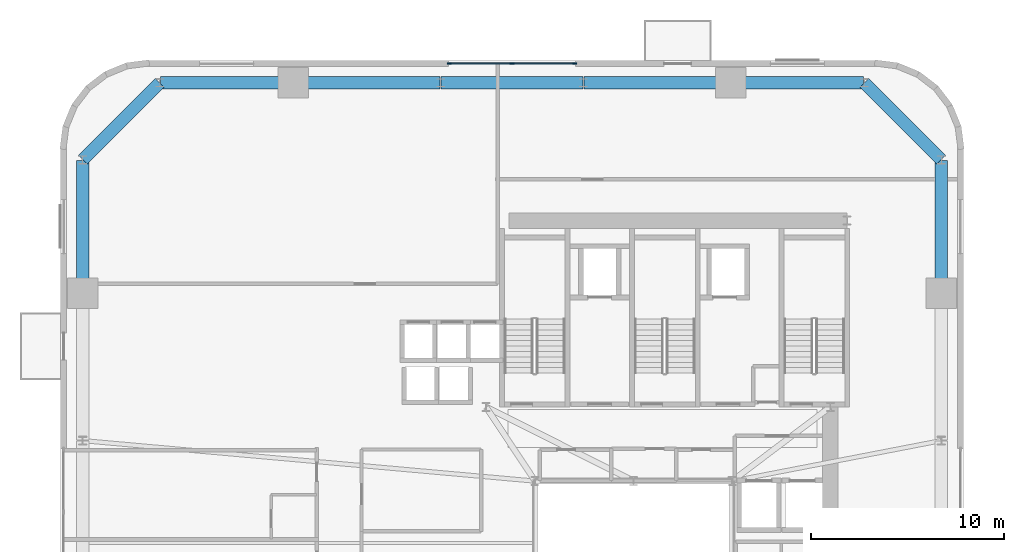
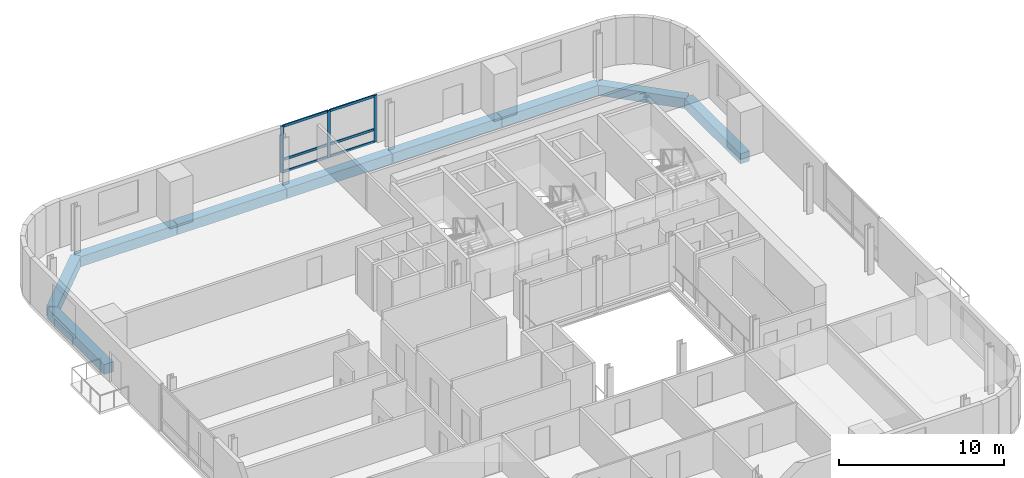
# One storey, part 4 of 14: 9 beams, 9 members, 1 element without a shape of its own.
"""IFC4 building model written with IfcOpenShell, lengths in metres."""

from ifc_helpers import new_model, si_unit, direction, frame, origin, origin_2d, place, context, subcontext, project, spatial, rectangle, extrude, source, transform, mapped, material, material_profile, profile_set, type_object, element, aggregate, save


model = new_model("IFC4")

# Units and contexts
model_context = context("Model", 3, precision=1e-05, world=origin(), true_north=direction((0.0, 1.0)))
body_context = subcontext(model_context, "Body", "Model", "MODEL_VIEW")
ifc_project = project(units=[si_unit("LENGTHUNIT", "METRE"), si_unit("AREAUNIT", "SQUARE_METRE"), si_unit("VOLUMEUNIT", "CUBIC_METRE"), si_unit("PLANEANGLEUNIT", "RADIAN"), si_unit("MASSUNIT", "GRAM", prefix="KILO")], contexts=[model_context])

# Site, building, storey
site_placement = place(None, origin())
site = spatial("IfcSite", under=ifc_project, at=site_placement, CompositionType="ELEMENT")
building_placement = place(site_placement, origin())
building = spatial("IfcBuilding", under=site, at=building_placement, Name="Vardaveli Station Tower", CompositionType="ELEMENT")
storey_placement = place(building_placement, frame((0.0, 0.0, 148.300048828125)))
storey = spatial("IfcBuildingStorey", under=building, at=storey_placement, Name="L38", CompositionType="ELEMENT", Elevation=148.300048828125)

# Beams
ifc_material_1 = material(Name="Precast concrete C45/55", Category="concrete")
ifc_material_profile_1 = material_profile(ifc_material_1, rectangle(XDim=0.64990234375, YDim=0.75, at=origin_2d()), Name="LPB 650x750")
ifc_profile_set_1 = profile_set([ifc_material_profile_1], Name="Precast concrete C45/55")
beam_type = type_object("IfcBeamType", Name="BM-LPB-750", PredefinedType="BEAM", material=ifc_profile_set_1)
shared_shape_1 = source(origin(), body_context, "Body", "SweptSolid", [
    extrude(rectangle(XDim=0.64990234375, YDim=0.75, at=origin_2d()), origin(), (0.0, 0.0, 1.0), 7.60009765625),
])
for number, where, z_axis, x_axis, name in (
    (1, (41.320068359375, 47.449951171875, -0.614990234375), (-1.0, 0.0, 0.0), (0.0, -1.0, 0.0), "RBM-L38-13"),
    (2, (26.280029296875, 47.449951171875, -0.614990234375), (-1.0, 0.0, 0.0), (0.0, -1.0, 0.0), "RBM-L38-15"),
):
    element("IfcBeam", number, at=place(storey_placement, frame(where, z_axis=z_axis, x_axis=x_axis)), inside=storey, type_object=beam_type, Name=name, PredefinedType="BEAM", context=body_context, shape_type="MappedRepresentation", body=[
        mapped(shared_shape_1, transform((0.0, 0.0, 0.0), scale=1.0)),
    ])
shared_shape_2 = source(origin(), body_context, "Body", "SweptSolid", [
    extrude(rectangle(XDim=0.64990234375, YDim=0.75, at=origin_2d()), origin(), (0.0, 0.0, 1.0), 7.35986328125),
])
beam_placement = place(storey_placement, frame((33.679931640625, 47.449951171875, -0.614990234375), z_axis=(-1.0, 0.0, 0.0), x_axis=(0.0, -1.0, 0.0)))
element("IfcBeam", 3, at=beam_placement, inside=storey, type_object=beam_type, Name="RBM-L38-14", PredefinedType="BEAM", context=body_context, shape_type="MappedRepresentation", body=[
    mapped(shared_shape_2, transform((0.0, 0.0, 0.0), scale=1.0)),
])
shared_shape_3 = source(origin(), body_context, "Body", "SweptSolid", [
    extrude(rectangle(XDim=0.64990234375, YDim=0.75, at=origin_2d()), origin(), (0.0, 0.0, 1.0), 6.869873046875),
])
for number, where, z_axis, x_axis, name in (
    (4, (52.25, 36.56005859375, -0.614990234375), (0.0, 1.0, 0.0), (-1.0, 0.0, 0.0), "RBM-L38-10"),
    (5, (48.22998046875, 47.449951171875, -0.614990234375), (-1.0, 0.0, 0.0), (0.0, -1.0, 0.0), "RBM-L38-12"),
    (6, (18.639892578125, 47.449951171875, -0.614990234375), (-1.0, 0.0, 0.0), (0.0, -1.0, 0.0), "RBM-L38-16"),
    (7, (7.75, 43.429931640625, -0.614990234375), (0.0, -1.0, 0.0), (1.0, 0.0, 0.0), "RBM-L38-18"),
):
    element("IfcBeam", number, at=place(storey_placement, frame(where, z_axis=z_axis, x_axis=x_axis)), inside=storey, type_object=beam_type, Name=name, PredefinedType="BEAM", context=body_context, shape_type="MappedRepresentation", body=[
        mapped(shared_shape_3, transform((0.0, 0.0, 0.0), scale=1.0)),
    ])
shared_shape_4 = source(origin(), body_context, "Body", "SweptSolid", [
    extrude(rectangle(XDim=0.64990234375, YDim=0.75, at=origin_2d()), origin(), (0.0, 0.0, 1.0), 5.61669921875),
])
for number, where, z_axis, x_axis, name in (
    (8, (52.23583984375, 43.464111328125, -0.614990234375), (-0.707106781187, 0.707106781187, 0.0), (-0.707106781187, -0.707106781187, 0.0), "RBM-L38-11"),
    (9, (11.73583984375, 47.435791015625, -0.614990234375), (-0.707106781187, -0.707106781187, 0.0), (0.707106781187, -0.707106781187, 0.0), "RBM-L38-17"),
):
    element("IfcBeam", number, at=place(storey_placement, frame(where, z_axis=z_axis, x_axis=x_axis)), inside=storey, type_object=beam_type, Name=name, PredefinedType="BEAM", context=body_context, shape_type="MappedRepresentation", body=[
        mapped(shared_shape_4, transform((0.0, 0.0, 0.0), scale=1.0)),
    ])

# Curtain wall, members
ifc_material_2 = material(Name="Travertine stone and solar-control glass", Category="masonry")
curtain_wall_type = type_object("IfcCurtainWallType", Name="CW-SYS-2", PredefinedType="NOTDEFINED", material=ifc_material_2)
curtain_wall_placement = place(storey_placement, origin())
curtain_wall = element("IfcCurtainWall", 10, at=curtain_wall_placement, inside=storey, type_object=curtain_wall_type, Name="CW-L38-N", PredefinedType="NOTDEFINED")
ifc_material_3 = material(Name="Anodised aluminium alloy 6063-T6", Category="aluminium")
ifc_material_profile_2 = material_profile(ifc_material_3, rectangle(XDim=0.0849609375, YDim=0.179931640625, at=origin_2d()), Name="CWT 85x180")
ifc_profile_set_2 = profile_set([ifc_material_profile_2], Name="Anodised aluminium alloy 6063-T6")
member_type_1 = type_object("IfcMemberType", Name="CW-SYS-2-TRAN", PredefinedType="NOTDEFINED", material=ifc_profile_set_2)
shared_shape_5 = source(origin(), body_context, "Body", "SweptSolid", [
    extrude(rectangle(XDim=0.0849609375, YDim=0.179931640625, at=origin_2d()), origin(), (0.0, 0.0, 1.0), 3.172607421875),
])
member_1_placement = place(storey_placement, frame((33.215087890625, 48.43994140625, 0.04248046875), z_axis=(-1.0, 0.0, 0.0), x_axis=(0.0, -1.0, 0.0)))
member_1 = element("IfcMember", 11, at=member_1_placement, type_object=member_type_1, Name="CW-2 transom 1.1", ObjectType="TRANSOM", PredefinedType="USERDEFINED", context=body_context, shape_type="MappedRepresentation", body=[
    mapped(shared_shape_5, transform((0.0, 0.0, 0.0), scale=1.0)),
])
member_2_placement = place(storey_placement, frame((33.215087890625, 48.43994140625, 0.949951171875), z_axis=(-1.0, 0.0, 0.0), x_axis=(0.0, -1.0, 0.0)))
member_2 = element("IfcMember", 12, at=member_2_placement, type_object=member_type_1, Name="CW-2 transom 1.2", ObjectType="TRANSOM", PredefinedType="USERDEFINED", context=body_context, shape_type="MappedRepresentation", body=[
    mapped(shared_shape_5, transform((0.0, 0.0, 0.0), scale=1.0)),
])
member_3_placement = place(storey_placement, frame((33.215087890625, 48.43994140625, 3.41748046875), z_axis=(-1.0, 0.0, 0.0), x_axis=(0.0, -1.0, 0.0)))
member_3 = element("IfcMember", 13, at=member_3_placement, type_object=member_type_1, Name="CW-2 transom 1.3", ObjectType="TRANSOM", PredefinedType="USERDEFINED", context=body_context, shape_type="MappedRepresentation", body=[
    mapped(shared_shape_5, transform((0.0, 0.0, 0.0), scale=1.0)),
])
member_4_placement = place(storey_placement, frame((29.95751953125, 48.43994140625, 0.04248046875), z_axis=(-1.0, 0.0, 0.0), x_axis=(0.0, -1.0, 0.0)))
member_4 = element("IfcMember", 14, at=member_4_placement, type_object=member_type_1, Name="CW-2 transom 2.1", ObjectType="TRANSOM", PredefinedType="USERDEFINED", context=body_context, shape_type="MappedRepresentation", body=[
    mapped(shared_shape_5, transform((0.0, 0.0, 0.0), scale=1.0)),
])
member_5_placement = place(storey_placement, frame((29.95751953125, 48.43994140625, 0.949951171875), z_axis=(-1.0, 0.0, 0.0), x_axis=(0.0, -1.0, 0.0)))
member_5 = element("IfcMember", 15, at=member_5_placement, type_object=member_type_1, Name="CW-2 transom 2.2", ObjectType="TRANSOM", PredefinedType="USERDEFINED", context=body_context, shape_type="MappedRepresentation", body=[
    mapped(shared_shape_5, transform((0.0, 0.0, 0.0), scale=1.0)),
])
member_6_placement = place(storey_placement, frame((29.95751953125, 48.43994140625, 3.41748046875), z_axis=(-1.0, 0.0, 0.0), x_axis=(0.0, -1.0, 0.0)))
member_6 = element("IfcMember", 16, at=member_6_placement, type_object=member_type_1, Name="CW-2 transom 2.3", ObjectType="TRANSOM", PredefinedType="USERDEFINED", context=body_context, shape_type="MappedRepresentation", body=[
    mapped(shared_shape_5, transform((0.0, 0.0, 0.0), scale=1.0)),
])
ifc_material_profile_3 = material_profile(ifc_material_3, rectangle(XDim=0.0849609375, YDim=0.219970703125, at=origin_2d()), Name="CWM 85x220")
ifc_profile_set_3 = profile_set([ifc_material_profile_3], Name="Anodised aluminium alloy 6063-T6")
member_type_2 = type_object("IfcMemberType", Name="CW-SYS-2-MULL", PredefinedType="MULLION", material=ifc_profile_set_3)
shared_shape_6 = source(origin(), body_context, "Body", "SweptSolid", [
    extrude(rectangle(XDim=0.0849609375, YDim=0.219970703125, at=origin_2d()), origin(), (0.0, 0.0, 1.0), 3.4599609375),
])
member_7_placement = place(storey_placement, frame((33.257568359375, 48.43994140625, 0.0), z_axis=(0.0, 0.0, 1.0), x_axis=(0.0, -1.0, 0.0)))
member_7 = element("IfcMember", 17, at=member_7_placement, type_object=member_type_2, Name="CW-2 mullion 1", PredefinedType="MULLION", context=body_context, shape_type="MappedRepresentation", body=[
    mapped(shared_shape_6, transform((0.0, 0.0, 0.0), scale=1.0)),
])
member_8_placement = place(storey_placement, frame((30.0, 48.43994140625, 0.0), z_axis=(0.0, 0.0, 1.0), x_axis=(0.0, -1.0, 0.0)))
member_8 = element("IfcMember", 18, at=member_8_placement, type_object=member_type_2, Name="CW-2 mullion 2", PredefinedType="MULLION", context=body_context, shape_type="MappedRepresentation", body=[
    mapped(shared_shape_6, transform((0.0, 0.0, 0.0), scale=1.0)),
])
member_9_placement = place(storey_placement, frame((26.742431640625, 48.43994140625, 0.0), z_axis=(0.0, 0.0, 1.0), x_axis=(0.0, -1.0, 0.0)))
member_9 = element("IfcMember", 19, at=member_9_placement, type_object=member_type_2, Name="CW-2 mullion 3", PredefinedType="MULLION", context=body_context, shape_type="MappedRepresentation", body=[
    mapped(shared_shape_6, transform((0.0, 0.0, 0.0), scale=1.0)),
])
aggregate(curtain_wall, [member_7, member_8, member_9, member_1, member_2, member_3, member_4, member_5, member_6])

save(model, "model.ifc")
